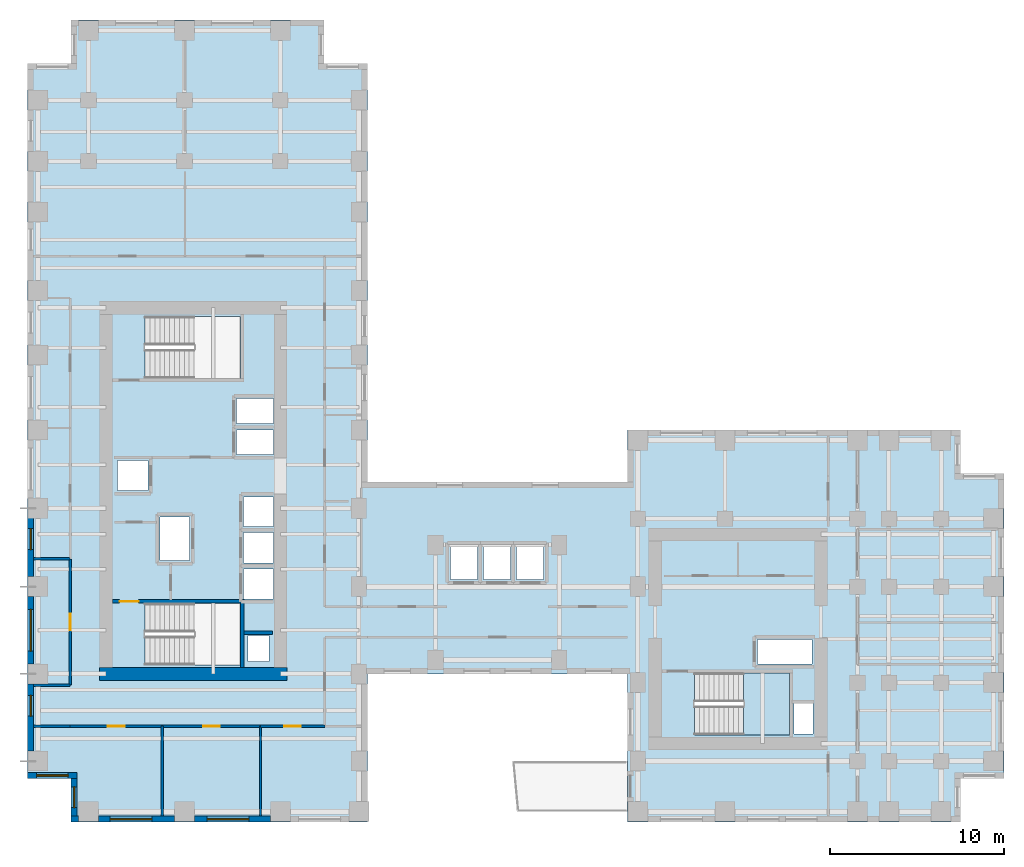
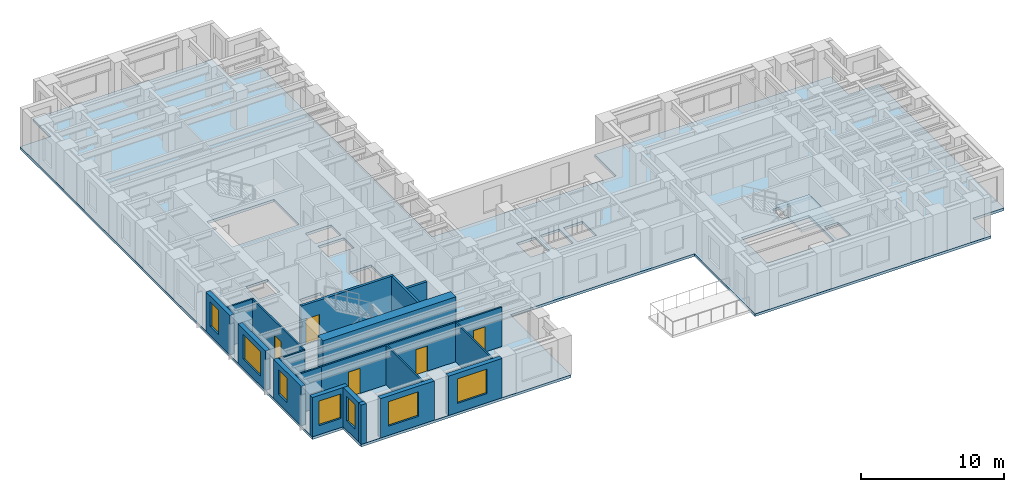
# One storey, part 3 of 12: 21 walls, 7 windows, 5 doors, 2 slabs, 12 openings, 1 element without a shape of its own.
"""IFC4 building model written with IfcOpenShell, lengths in metres."""

from ifc_helpers import new_model, si_unit, direction, frame, frame_2d, origin, place, context, subcontext, project, spatial, polyline, rectangle, outline, extrude, source, transform, mapped, material, layer, layer_set, type_object, element, fill, aggregate, save


model = new_model("IFC4")

# Units and contexts
model_context = context("Model", 3, precision=1e-05, world=origin(), true_north=direction((0.0, 1.0)))
body_context = subcontext(model_context, "Body", "Model", "MODEL_VIEW")
ifc_project = project(units=[si_unit("LENGTHUNIT", "METRE"), si_unit("AREAUNIT", "SQUARE_METRE"), si_unit("VOLUMEUNIT", "CUBIC_METRE"), si_unit("PLANEANGLEUNIT", "RADIAN"), si_unit("MASSUNIT", "GRAM", prefix="KILO")], contexts=[model_context])

# Site, building, storey
site_placement = place(None, origin())
site = spatial("IfcSite", under=ifc_project, at=site_placement, CompositionType="ELEMENT")
building_placement = place(site_placement, origin())
building = spatial("IfcBuilding", under=site, at=building_placement, Name="Kharzan Plaza Tower", CompositionType="ELEMENT")
storey_placement = place(building_placement, frame((0.0, 0.0, 106.199951171875)))
storey = spatial("IfcBuildingStorey", under=building, at=storey_placement, Name="L28", CompositionType="ELEMENT", Elevation=106.199951171875)

# Slab
ifc_material_1 = material(Name="Concrete C40/50", Category="concrete")
ifc_layer_1 = layer(ifc_material_1, 0.219970703125)
ifc_layer_set_1 = layer_set([ifc_layer_1], Name="Concrete C40/50")
slab_type_1 = type_object("IfcSlabType", Name="SL-FLOOR-220", PredefinedType="FLOOR", material=ifc_layer_set_1)
slab_1_placement = place(storey_placement, frame((0.0, 0.0, -0.219970703125)))
element("IfcSlab", 1, at=slab_1_placement, inside=storey, type_object=slab_type_1, Name="L28 Composite Structural Floor Slab 220 mm", PredefinedType="FLOOR", context=body_context, shape_type="SweptSolid", body=[
    extrude(outline(polyline([(34.39990234375, 19.5), (19.5, 19.5), (19.5, 43.5), (17.0, 43.5), (17.0, 46.0), (2.5, 46.0), (2.5, 43.5), (0.0, 43.5), (0.0, 2.5), (2.5, 2.5), (2.5, 0.0), (19.5, 0.0), (19.5, 8.5), (34.39990234375, 8.5), (34.39990234375, 0.0), (53.5, 0.0), (53.5, 2.5), (56.0, 2.5), (56.0, 20.0), (53.5, 20.0), (53.5, 22.5), (34.39990234375, 22.5), (34.39990234375, 19.5)]), holes=[polyline([(12.199951171875, 9.0), (12.199951171875, 12.550048828125), (6.75, 12.550048828125), (6.75, 9.0), (12.199951171875, 9.0)]), polyline([(14.10009765625, 12.800048828125), (14.10009765625, 14.530029296875), (12.39990234375, 14.530029296875), (12.39990234375, 12.800048828125), (14.10009765625, 12.800048828125)]), polyline([(14.10009765625, 14.8701171875), (14.10009765625, 16.60009765625), (12.39990234375, 16.60009765625), (12.39990234375, 14.8701171875), (14.10009765625, 14.8701171875)]), polyline([(9.300048828125, 15.0), (9.300048828125, 17.5), (7.60009765625, 17.5), (7.60009765625, 15.0), (9.300048828125, 15.0)]), polyline([(6.89990234375, 19.010009765625), (6.89990234375, 20.72998046875), (5.14990234375, 20.72998046875), (5.14990234375, 19.010009765625), (6.89990234375, 19.010009765625)]), polyline([(14.10009765625, 21.070068359375), (14.10009765625, 22.489990234375), (12.0, 22.489990234375), (12.0, 21.070068359375), (14.10009765625, 21.070068359375)]), polyline([(14.10009765625, 22.8701171875), (14.10009765625, 24.2900390625), (12.0, 24.2900390625), (12.0, 22.8701171875), (14.10009765625, 22.8701171875)]), polyline([(12.199951171875, 25.449951171875), (12.199951171875, 29.0), (6.75, 29.0), (6.75, 25.449951171875), (12.199951171875, 25.449951171875)]), polyline([(45.050048828125, 5.050048828125), (45.050048828125, 6.800048828125), (43.949951171875, 6.800048828125), (43.949951171875, 5.050048828125), (45.050048828125, 5.050048828125)]), polyline([(43.699951171875, 5.0), (43.699951171875, 8.550048828125), (38.25, 8.550048828125), (38.25, 5.0), (43.699951171875, 5.0)]), polyline([(45.0, 9.070068359375), (45.0, 10.469970703125), (41.85009765625, 10.469970703125), (41.85009765625, 9.070068359375), (45.0, 9.070068359375)]), polyline([(13.85009765625, 9.199951171875), (13.85009765625, 10.699951171875), (12.64990234375, 10.699951171875), (12.64990234375, 9.199951171875), (13.85009765625, 9.199951171875)]), polyline([(25.800048828125, 13.89990234375), (25.800048828125, 15.85009765625), (24.25, 15.85009765625), (24.25, 13.89990234375), (25.800048828125, 13.89990234375)]), polyline([(27.699951171875, 13.89990234375), (27.699951171875, 15.85009765625), (26.14990234375, 15.85009765625), (26.14990234375, 13.89990234375), (27.699951171875, 13.89990234375)]), polyline([(29.60009765625, 13.89990234375), (29.60009765625, 15.85009765625), (28.050048828125, 15.85009765625), (28.050048828125, 13.89990234375), (29.60009765625, 13.89990234375)]), polyline([(14.10009765625, 16.93994140625), (14.10009765625, 18.64990234375), (12.39990234375, 18.64990234375), (12.39990234375, 16.93994140625), (14.10009765625, 16.93994140625)])]), origin(), (0.0, 0.0, 1.0), 0.219970703125),
])

# Stair, slab
stair_type = type_object("IfcStairType", Name="STR-ST-3", PredefinedType="HALF_TURN_STAIR", material=ifc_material_1)
stair_placement = place(storey_placement, origin())
stair = element("IfcStair", 2, at=stair_placement, inside=storey, type_object=stair_type, Name="L28 Protected Exit Stair ST-3", PredefinedType="HALF_TURN_STAIR")
ifc_layer_2 = layer(ifc_material_1, 0.219970703125)
ifc_layer_set_2 = layer_set([ifc_layer_2], Name="Concrete C40/50")
slab_type_2 = type_object("IfcSlabType", Name="SL-LANDING-220", PredefinedType="LANDING", material=ifc_layer_set_2)
slab_2_placement = place(storey_placement, frame((0.0, 0.0, 1.60009765625)))
slab_2 = element("IfcSlab", 3, at=slab_2_placement, type_object=slab_type_2, Name="ST-3 landing 1", PredefinedType="LANDING", context=body_context, shape_type="SweptSolid", body=[
    extrude(outline(polyline([(41.050048828125, 5.0), (43.699951171875, 5.0), (43.699951171875, 8.550048828125), (41.050048828125, 8.550048828125), (41.050048828125, 5.0)])), origin(), (0.0, 0.0, 1.0), 0.199951171875),
])
aggregate(stair, [slab_2])

# Wall, opening, window
ifc_layer_3 = layer(ifc_material_1, 0.35009765625)
ifc_layer_set_3 = layer_set([ifc_layer_3], Name="Concrete C40/50")
wall_type_1 = type_object("IfcWallType", Name="WL-EXT-MAS-Z2", PredefinedType="SOLIDWALL", material=ifc_layer_set_3)
wall_1_placement = place(storey_placement, frame((0.175048828125, 17.427001953125, 0.0), z_axis=(0.0, 0.0, 1.0), x_axis=(0.0, -1.0, 0.0)))
wall_1 = element("IfcWall", 4, at=wall_1_placement, inside=storey, type_object=wall_type_1, Name="L28 Masonry-Frame Exterior Wall 23", PredefinedType="SOLIDWALL", context=body_context, shape_type="SweptSolid", body=[
    extrude(rectangle(XDim=3.35400390625, YDim=0.35009765625, at=frame_2d((1.677001953125, 0.0))), origin(), (0.0, 0.0, 1.0), 3.364990234375),
])
opening_1_placement = place(wall_1_placement, frame((0.598388671875, 0.0, 0.780029296875)))
opening_1 = element("IfcOpeningElement", 5, at=opening_1_placement, cuts=wall_1, Name="Opening W3", PredefinedType="OPENING", context=body_context, shape_type="SweptSolid", body=[
    extrude(rectangle(XDim=1.199951171875, YDim=2.10009765625, at=frame_2d((0.60009765625, 1.050048828125))), frame((0.0, 0.18505859375, 0.0), z_axis=(0.0, -1.0, 0.0), x_axis=(1.0, 0.0, 0.0)), (0.0, 0.0, 1.0), 0.3701171875),
])
ifc_material_2 = material(Name="Low-E Double Glazing", Category="glass")
window_type_1 = type_object("IfcWindowType", Name="WN-REC-1200x2100", PartitioningType="SINGLE_PANEL", PredefinedType="WINDOW", material=ifc_material_2)
shared_shape_1 = source(origin(), body_context, "Body", "SweptSolid", [
    extrude(rectangle(XDim=1.199951171875, YDim=2.10009765625, at=frame_2d((0.60009765625, 1.050048828125))), frame((0.0, 0.030029296875, 0.0), z_axis=(0.0, -1.0, 0.0), x_axis=(1.0, 0.0, 0.0)), (0.0, 0.0, 1.0), 0.06005859375),
])
window_1_placement = place(opening_1_placement, origin())
window_1 = element("IfcWindow", 6, at=window_1_placement, inside=storey, type_object=window_type_1, Name="L28 Recessed Solar-Control Window 23-1", OverallHeight=2.10009765625, OverallWidth=1.199951171875, PartitioningType="SINGLE_PANEL", PredefinedType="WINDOW", context=body_context, shape_type="MappedRepresentation", body=[
    mapped(shared_shape_1, transform((0.0, 0.0, 0.0), x_axis=(1.0, 0.0, 0.0), y_axis=(0.0, 1.0, 0.0), z_axis=(0.0, 0.0, 1.0))),
])
fill(opening_1, window_1)

wall_2_placement = place(storey_placement, frame((0.175048828125, 12.927001953125, 0.0), z_axis=(0.0, 0.0, 1.0), x_axis=(0.0, -1.0, 0.0)))
wall_2 = element("IfcWall", 7, at=wall_2_placement, inside=storey, type_object=wall_type_1, Name="L28 Masonry-Frame Exterior Wall 24", PredefinedType="SOLIDWALL", context=body_context, shape_type="SweptSolid", body=[
    extrude(rectangle(XDim=3.85400390625, YDim=0.35009765625, at=frame_2d((1.927001953125, 0.0))), origin(), (0.0, 0.0, 1.0), 3.364990234375),
])
opening_2_placement = place(wall_2_placement, frame((0.72705078125, 0.0, 0.780029296875)))
opening_2 = element("IfcOpeningElement", 8, at=opening_2_placement, cuts=wall_2, Name="Opening W2", PredefinedType="OPENING", context=body_context, shape_type="SweptSolid", body=[
    extrude(rectangle(XDim=2.39990234375, YDim=2.10009765625, at=frame_2d((1.199951171875, 1.050048828125))), frame((0.0, 0.18505859375, 0.0), z_axis=(0.0, -1.0, 0.0), x_axis=(1.0, 0.0, 0.0)), (0.0, 0.0, 1.0), 0.3701171875),
])
window_type_2 = type_object("IfcWindowType", Name="WN-REC-2400x2100", PartitioningType="SINGLE_PANEL", PredefinedType="WINDOW", material=ifc_material_2)
shared_shape_2 = source(origin(), body_context, "Body", "SweptSolid", [
    extrude(rectangle(XDim=2.39990234375, YDim=2.10009765625, at=frame_2d((1.199951171875, 1.050048828125))), frame((0.0, 0.030029296875, 0.0), z_axis=(0.0, -1.0, 0.0), x_axis=(1.0, 0.0, 0.0)), (0.0, 0.0, 1.0), 0.06005859375),
])
window_2_placement = place(opening_2_placement, origin())
window_2 = element("IfcWindow", 9, at=window_2_placement, inside=storey, type_object=window_type_2, Name="L28 Wide Recessed Solar-Control Window 24-1", OverallHeight=2.10009765625, OverallWidth=2.39990234375, PartitioningType="SINGLE_PANEL", PredefinedType="WINDOW", context=body_context, shape_type="MappedRepresentation", body=[
    mapped(shared_shape_2, transform((0.0, 0.0, 0.0), x_axis=(1.0, 0.0, 0.0), y_axis=(0.0, 1.0, 0.0), z_axis=(0.0, 0.0, 1.0))),
])
fill(opening_2, window_2)

wall_3_placement = place(storey_placement, frame((0.175048828125, 7.927001953125, 0.0), z_axis=(0.0, 0.0, 1.0), x_axis=(0.0, -1.0, 0.0)))
wall_3 = element("IfcWall", 10, at=wall_3_placement, inside=storey, type_object=wall_type_1, Name="L28 Masonry-Frame Exterior Wall 25", PredefinedType="SOLIDWALL", context=body_context, shape_type="SweptSolid", body=[
    extrude(rectangle(XDim=3.85400390625, YDim=0.35009765625, at=frame_2d((1.927001953125, 0.0))), origin(), (0.0, 0.0, 1.0), 3.364990234375),
])
opening_3_placement = place(wall_3_placement, frame((0.652099609375, 0.0, 0.780029296875)))
opening_3 = element("IfcOpeningElement", 11, at=opening_3_placement, cuts=wall_3, Name="Opening W3", PredefinedType="OPENING", context=body_context, shape_type="SweptSolid", body=[
    extrude(rectangle(XDim=1.199951171875, YDim=2.10009765625, at=frame_2d((0.60009765625, 1.050048828125))), frame((0.0, 0.18505859375, 0.0), z_axis=(0.0, -1.0, 0.0), x_axis=(1.0, 0.0, 0.0)), (0.0, 0.0, 1.0), 0.3701171875),
])
window_3_placement = place(opening_3_placement, origin())
window_3 = element("IfcWindow", 12, at=window_3_placement, inside=storey, type_object=window_type_1, Name="L28 Recessed Solar-Control Window 25-1", OverallHeight=2.10009765625, OverallWidth=1.199951171875, PartitioningType="SINGLE_PANEL", PredefinedType="WINDOW", context=body_context, shape_type="MappedRepresentation", body=[
    mapped(shared_shape_1, transform((0.0, 0.0, 0.0), x_axis=(1.0, 0.0, 0.0), y_axis=(0.0, 1.0, 0.0), z_axis=(0.0, 0.0, 1.0))),
])
fill(opening_3, window_3)

wall_4_placement = place(storey_placement, frame((0.0, 2.675048828125, 0.0), z_axis=(0.0, 0.0, 1.0), x_axis=(1.0, 0.0, 0.0)))
wall_4 = element("IfcWall", 13, at=wall_4_placement, inside=storey, type_object=wall_type_1, Name="L28 Masonry-Frame Exterior Wall 26", PredefinedType="SOLIDWALL", context=body_context, shape_type="SweptSolid", body=[
    extrude(rectangle(XDim=2.85009765625, YDim=0.35009765625, at=frame_2d((1.425048828125, 0.0))), origin(), (0.0, 0.0, 1.0), 3.364990234375),
])
opening_4_placement = place(wall_4_placement, frame((0.52490234375, 0.0, 0.780029296875)))
opening_4 = element("IfcOpeningElement", 14, at=opening_4_placement, cuts=wall_4, Name="Opening W1", PredefinedType="OPENING", context=body_context, shape_type="SweptSolid", body=[
    extrude(rectangle(XDim=1.800048828125, YDim=2.10009765625, at=frame_2d((0.89990234375, 1.050048828125))), frame((0.0, 0.18505859375, 0.0), z_axis=(0.0, -1.0, 0.0), x_axis=(1.0, 0.0, 0.0)), (0.0, 0.0, 1.0), 0.3701171875),
])
window_type_3 = type_object("IfcWindowType", Name="WN-REC-1800x2100", PartitioningType="SINGLE_PANEL", PredefinedType="WINDOW", material=ifc_material_2)
shared_shape_3 = source(origin(), body_context, "Body", "SweptSolid", [
    extrude(rectangle(XDim=1.800048828125, YDim=2.10009765625, at=frame_2d((0.89990234375, 1.050048828125))), frame((0.0, 0.030029296875, 0.0), z_axis=(0.0, -1.0, 0.0), x_axis=(1.0, 0.0, 0.0)), (0.0, 0.0, 1.0), 0.06005859375),
])
window_4_placement = place(opening_4_placement, origin())
window_4 = element("IfcWindow", 15, at=window_4_placement, inside=storey, type_object=window_type_3, Name="L28 Recessed Solar-Control Window 26-1", OverallHeight=2.10009765625, OverallWidth=1.800048828125, PartitioningType="SINGLE_PANEL", PredefinedType="WINDOW", context=body_context, shape_type="MappedRepresentation", body=[
    mapped(shared_shape_3, transform((0.0, 0.0, 0.0), x_axis=(1.0, 0.0, 0.0), y_axis=(0.0, 1.0, 0.0), z_axis=(0.0, 0.0, 1.0))),
])
fill(opening_4, window_4)

wall_5_placement = place(storey_placement, frame((2.675048828125, 2.501953125, 0.0), z_axis=(0.0, 0.0, 1.0), x_axis=(0.0, -1.0, 0.0)))
wall_5 = element("IfcWall", 16, at=wall_5_placement, inside=storey, type_object=wall_type_1, Name="L28 Masonry-Frame Exterior Wall 27", PredefinedType="SOLIDWALL", context=body_context, shape_type="SweptSolid", body=[
    extrude(rectangle(XDim=2.154052734375, YDim=0.35009765625, at=frame_2d((1.0771484375, 0.0))), origin(), (0.0, 0.0, 1.0), 3.364990234375),
])
opening_5_placement = place(wall_5_placement, frame((0.47705078125, 0.0, 0.780029296875)))
opening_5 = element("IfcOpeningElement", 17, at=opening_5_placement, cuts=wall_5, Name="Opening W3", PredefinedType="OPENING", context=body_context, shape_type="SweptSolid", body=[
    extrude(rectangle(XDim=1.199951171875, YDim=2.10009765625, at=frame_2d((0.60009765625, 1.050048828125))), frame((0.0, 0.18505859375, 0.0), z_axis=(0.0, -1.0, 0.0), x_axis=(1.0, 0.0, 0.0)), (0.0, 0.0, 1.0), 0.3701171875),
])
window_5_placement = place(opening_5_placement, origin())
window_5 = element("IfcWindow", 18, at=window_5_placement, inside=storey, type_object=window_type_1, Name="L28 Recessed Solar-Control Window 27-1", OverallHeight=2.10009765625, OverallWidth=1.199951171875, PartitioningType="SINGLE_PANEL", PredefinedType="WINDOW", context=body_context, shape_type="MappedRepresentation", body=[
    mapped(shared_shape_1, transform((0.0, 0.0, 0.0), x_axis=(1.0, 0.0, 0.0), y_axis=(0.0, 1.0, 0.0), z_axis=(0.0, 0.0, 1.0))),
])
fill(opening_5, window_5)

wall_6_placement = place(storey_placement, frame((4.072998046875, 0.175048828125, 0.0), z_axis=(0.0, 0.0, 1.0), x_axis=(1.0, 0.0, 0.0)))
wall_6 = element("IfcWall", 19, at=wall_6_placement, inside=storey, type_object=wall_type_1, Name="L28 Masonry-Frame Exterior Wall 29", PredefinedType="SOLIDWALL", context=body_context, shape_type="SweptSolid", body=[
    extrude(rectangle(XDim=4.35400390625, YDim=0.35009765625, at=frame_2d((2.177001953125, 0.0))), origin(), (0.0, 0.0, 1.0), 3.364990234375),
])
opening_6_placement = place(wall_6_placement, frame((0.66357421875, 0.0, 0.780029296875)))
opening_6 = element("IfcOpeningElement", 20, at=opening_6_placement, cuts=wall_6, Name="Opening W2", PredefinedType="OPENING", context=body_context, shape_type="SweptSolid", body=[
    extrude(rectangle(XDim=2.39990234375, YDim=2.10009765625, at=frame_2d((1.199951171875, 1.050048828125))), frame((0.0, 0.18505859375, 0.0), z_axis=(0.0, -1.0, 0.0), x_axis=(1.0, 0.0, 0.0)), (0.0, 0.0, 1.0), 0.3701171875),
])
window_6_placement = place(opening_6_placement, origin())
window_6 = element("IfcWindow", 21, at=window_6_placement, inside=storey, type_object=window_type_2, Name="L28 Wide Recessed Solar-Control Window 29-1", OverallHeight=2.10009765625, OverallWidth=2.39990234375, PartitioningType="SINGLE_PANEL", PredefinedType="WINDOW", context=body_context, shape_type="MappedRepresentation", body=[
    mapped(shared_shape_2, transform((0.0, 0.0, 0.0), x_axis=(1.0, 0.0, 0.0), y_axis=(0.0, 1.0, 0.0), z_axis=(0.0, 0.0, 1.0))),
])
fill(opening_6, window_6)

wall_7_placement = place(storey_placement, frame((9.572998046875, 0.175048828125, 0.0), z_axis=(0.0, 0.0, 1.0), x_axis=(1.0, 0.0, 0.0)))
wall_7 = element("IfcWall", 22, at=wall_7_placement, inside=storey, type_object=wall_type_1, Name="L28 Masonry-Frame Exterior Wall 30", PredefinedType="SOLIDWALL", context=body_context, shape_type="SweptSolid", body=[
    extrude(rectangle(XDim=4.35400390625, YDim=0.35009765625, at=frame_2d((2.177001953125, 0.0))), origin(), (0.0, 0.0, 1.0), 3.364990234375),
])
opening_7_placement = place(wall_7_placement, frame((0.72705078125, 0.0, 0.780029296875)))
opening_7 = element("IfcOpeningElement", 23, at=opening_7_placement, cuts=wall_7, Name="Opening W2", PredefinedType="OPENING", context=body_context, shape_type="SweptSolid", body=[
    extrude(rectangle(XDim=2.39990234375, YDim=2.10009765625, at=frame_2d((1.199951171875, 1.050048828125))), frame((0.0, 0.18505859375, 0.0), z_axis=(0.0, -1.0, 0.0), x_axis=(1.0, 0.0, 0.0)), (0.0, 0.0, 1.0), 0.3701171875),
])
window_7_placement = place(opening_7_placement, origin())
window_7 = element("IfcWindow", 24, at=window_7_placement, inside=storey, type_object=window_type_2, Name="L28 Wide Recessed Solar-Control Window 30-1", OverallHeight=2.10009765625, OverallWidth=2.39990234375, PartitioningType="SINGLE_PANEL", PredefinedType="WINDOW", context=body_context, shape_type="MappedRepresentation", body=[
    mapped(shared_shape_2, transform((0.0, 0.0, 0.0), x_axis=(1.0, 0.0, 0.0), y_axis=(0.0, 1.0, 0.0), z_axis=(0.0, 0.0, 1.0))),
])
fill(opening_7, window_7)

# Wall, opening, door
ifc_material_3 = material(Name="Fire-Rated Gypsum Board Partition", Category="gypsum")
ifc_layer_4 = layer(ifc_material_3, 0.125)
ifc_layer_set_4 = layer_set([ifc_layer_4], Name="Fire-Rated Gypsum Board Partition")
wall_type_2 = type_object("IfcWallType", Name="WL-INT-PART-125", PredefinedType="PARTITIONING", material=ifc_layer_set_4)
wall_8_placement = place(storey_placement, frame((2.449951171875, 5.5, 0.0), z_axis=(0.0, 0.0, 1.0), x_axis=(1.0, 0.0, 0.0)))
wall_8 = element("IfcWall", 25, at=wall_8_placement, inside=storey, type_object=wall_type_2, Name="L28 Interior Partition SH-SS-1", PredefinedType="PARTITIONING", context=body_context, shape_type="SweptSolid", body=[
    extrude(rectangle(XDim=5.280029296875, YDim=0.125, at=frame_2d((2.64013671875, 0.0))), origin(), (0.0, 0.0, 1.0), 3.364990234375),
])
opening_8_placement = place(wall_8_placement, frame((2.1650390625, 0.0, 0.0)))
opening_8 = element("IfcOpeningElement", 26, at=opening_8_placement, cuts=wall_8, Name="Opening OD1", PredefinedType="OPENING", context=body_context, shape_type="SweptSolid", body=[
    extrude(rectangle(XDim=0.949951171875, YDim=2.14990234375, at=frame_2d((0.47509765625, 1.074951171875))), frame((0.0, 0.072509765625, 0.0), z_axis=(0.0, -1.0, 0.0), x_axis=(1.0, 0.0, 0.0)), (0.0, 0.0, 1.0), 0.14501953125),
])
ifc_material_4 = material(Name="Acoustic Solid-Core Stained Oak", Category="timber")
door_type_1 = type_object("IfcDoorType", Name="DR-OFF-SINGLE", OperationType="NOTDEFINED", PredefinedType="DOOR", material=ifc_material_4)
shared_shape_4 = source(origin(), body_context, "Body", "SweptSolid", [
    extrude(rectangle(XDim=0.949951171875, YDim=2.14990234375, at=frame_2d((0.47509765625, 1.074951171875))), frame((0.0, 0.02490234375, 0.0), z_axis=(0.0, -1.0, 0.0), x_axis=(1.0, 0.0, 0.0)), (0.0, 0.0, 1.0), 0.050048828125),
])
door_1_placement = place(opening_8_placement, origin())
door_1 = element("IfcDoor", 27, at=door_1_placement, inside=storey, type_object=door_type_1, Name="L28 Executive Boardroom Door", OperationType="SINGLE_SWING_RIGHT", OverallHeight=2.14990234375, OverallWidth=0.949951171875, PredefinedType="DOOR", context=body_context, shape_type="MappedRepresentation", body=[
    mapped(shared_shape_4, transform((0.0, 0.0, 0.0), x_axis=(1.0, 0.0, 0.0), y_axis=(0.0, 1.0, 0.0), z_axis=(0.0, 0.0, 1.0))),
])
fill(opening_8, door_1)

wall_9_placement = place(storey_placement, frame((7.72998046875, 5.5, 0.0), z_axis=(0.0, 0.0, 1.0), x_axis=(1.0, 0.0, 0.0)))
wall_9 = element("IfcWall", 28, at=wall_9_placement, inside=storey, type_object=wall_type_2, Name="L28 Interior Partition SH-SS-2", PredefinedType="PARTITIONING", context=body_context, shape_type="SweptSolid", body=[
    extrude(rectangle(XDim=5.626953125, YDim=0.125, at=frame_2d((2.8134765625, 0.0))), origin(), (0.0, 0.0, 1.0), 3.364990234375),
])
opening_9_placement = place(wall_9_placement, frame((2.33837890625, 0.0, 0.0)))
opening_9 = element("IfcOpeningElement", 29, at=opening_9_placement, cuts=wall_9, Name="Opening OD1", PredefinedType="OPENING", context=body_context, shape_type="SweptSolid", body=[
    extrude(rectangle(XDim=0.949951171875, YDim=2.14990234375, at=frame_2d((0.47509765625, 1.074951171875))), frame((0.0, 0.072509765625, 0.0), z_axis=(0.0, -1.0, 0.0), x_axis=(1.0, 0.0, 0.0)), (0.0, 0.0, 1.0), 0.14501953125),
])
door_2_placement = place(opening_9_placement, origin())
door_2 = element("IfcDoor", 30, at=door_2_placement, inside=storey, type_object=door_type_1, Name="L28 Staff Tea Pantry Door", OperationType="SINGLE_SWING_LEFT", OverallHeight=2.14990234375, OverallWidth=0.949951171875, PredefinedType="DOOR", context=body_context, shape_type="MappedRepresentation", body=[
    mapped(shared_shape_4, transform((0.0, 0.0, 0.0), x_axis=(1.0, 0.0, 0.0), y_axis=(0.0, 1.0, 0.0), z_axis=(0.0, 0.0, 1.0))),
])
fill(opening_9, door_2)

wall_10_placement = place(storey_placement, frame((13.35693359375, 5.5, 0.0), z_axis=(0.0, 0.0, 1.0), x_axis=(1.0, 0.0, 0.0)))
wall_10 = element("IfcWall", 31, at=wall_10_placement, inside=storey, type_object=wall_type_2, Name="L28 Interior Partition SH-SS-3", PredefinedType="PARTITIONING", context=body_context, shape_type="SweptSolid", body=[
    extrude(rectangle(XDim=3.693115234375, YDim=0.125, at=frame_2d((1.8466796875, 0.0))), origin(), (0.0, 0.0, 1.0), 3.364990234375),
])
opening_10_placement = place(wall_10_placement, frame((1.37158203125, 0.0, 0.0)))
opening_10 = element("IfcOpeningElement", 32, at=opening_10_placement, cuts=wall_10, Name="Opening OD1", PredefinedType="OPENING", context=body_context, shape_type="SweptSolid", body=[
    extrude(rectangle(XDim=0.949951171875, YDim=2.14990234375, at=frame_2d((0.47509765625, 1.074951171875))), frame((0.0, 0.072509765625, 0.0), z_axis=(0.0, -1.0, 0.0), x_axis=(1.0, 0.0, 0.0)), (0.0, 0.0, 1.0), 0.14501953125),
])
door_3_placement = place(opening_10_placement, origin())
door_3 = element("IfcDoor", 33, at=door_3_placement, inside=storey, type_object=door_type_1, Name="L28 Design Collaboration Office Door", OperationType="SINGLE_SWING_RIGHT", OverallHeight=2.14990234375, OverallWidth=0.949951171875, PredefinedType="DOOR", context=body_context, shape_type="MappedRepresentation", body=[
    mapped(shared_shape_4, transform((0.0, 0.0, 0.0), x_axis=(1.0, 0.0, 0.0), y_axis=(0.0, 1.0, 0.0), z_axis=(0.0, 0.0, 1.0))),
])
fill(opening_10, door_3)

wall_11_placement = place(storey_placement, frame((2.449951171875, 7.85009765625, 0.0), z_axis=(0.0, 0.0, 1.0), x_axis=(0.0, 1.0, 0.0)))
wall_11 = element("IfcWall", 34, at=wall_11_placement, inside=storey, type_object=wall_type_2, Name="L28 Interior Partition SH-WW-1", PredefinedType="PARTITIONING", context=body_context, shape_type="SweptSolid", body=[
    extrude(rectangle(XDim=7.25, YDim=0.125, at=frame_2d((3.625, 0.0))), origin(), (0.0, 0.0, 1.0), 3.364990234375),
])
opening_11_placement = place(wall_11_placement, frame((3.14990234375, 0.0, 0.0)))
opening_11 = element("IfcOpeningElement", 35, at=opening_11_placement, cuts=wall_11, Name="Opening OD1", PredefinedType="OPENING", context=body_context, shape_type="SweptSolid", body=[
    extrude(rectangle(XDim=0.949951171875, YDim=2.14990234375, at=frame_2d((0.47509765625, 1.074951171875))), frame((0.0, 0.072509765625, 0.0), z_axis=(0.0, -1.0, 0.0), x_axis=(1.0, 0.0, 0.0)), (0.0, 0.0, 1.0), 0.14501953125),
])
door_4_placement = place(opening_11_placement, origin())
door_4 = element("IfcDoor", 36, at=door_4_placement, inside=storey, type_object=door_type_1, Name="L28 Conference Room Door", OperationType="SINGLE_SWING_LEFT", OverallHeight=2.14990234375, OverallWidth=0.949951171875, PredefinedType="DOOR", context=body_context, shape_type="MappedRepresentation", body=[
    mapped(shared_shape_4, transform((0.0, 0.0, 0.0), x_axis=(1.0, 0.0, 0.0), y_axis=(0.0, 1.0, 0.0), z_axis=(0.0, 0.0, 1.0))),
])
fill(opening_11, door_4)

ifc_material_5 = material(Name="Concrete C50/60", Category="concrete")
ifc_layer_5 = layer(ifc_material_5, 0.199951171875)
ifc_layer_set_5 = layer_set([ifc_layer_5], Name="Concrete C50/60")
wall_type_3 = type_object("IfcWallType", Name="WL-SHAFT-RC200", PredefinedType="SHEAR", material=ifc_layer_set_5)
wall_12_placement = place(storey_placement, frame((4.876953125, 12.655029296875, 0.0), z_axis=(0.0, 0.0, 1.0), x_axis=(1.0, 0.0, 0.0)))
wall_12 = element("IfcWall", 37, at=wall_12_placement, inside=storey, type_object=wall_type_3, Name="L28 Stair ST-1 North RC Shaft Wall", PredefinedType="SHEAR", context=body_context, shape_type="SweptSolid", body=[
    extrude(rectangle(XDim=7.528076171875, YDim=0.199951171875, at=frame_2d((3.76416015625, 0.0))), origin(), (0.0, 0.0, 1.0), 3.380126953125),
])
opening_12_placement = place(wall_12_placement, frame((0.39990234375, 0.0, 0.0)))
opening_12 = element("IfcOpeningElement", 38, at=opening_12_placement, cuts=wall_12, Name="Opening SD1", PredefinedType="OPENING", context=body_context, shape_type="SweptSolid", body=[
    extrude(rectangle(XDim=1.10009765625, YDim=2.14990234375, at=frame_2d((0.550048828125, 1.074951171875))), frame((0.0, 0.10986328125, 0.0), z_axis=(0.0, -1.0, 0.0), x_axis=(1.0, 0.0, 0.0)), (0.0, 0.0, 1.0), 0.219970703125),
])
ifc_material_6 = material(Name="Fire-Rated Hollow Galvanized Steel", Category="steel")
door_type_2 = type_object("IfcDoorType", Name="DR-STAIR-FD120", OperationType="NOTDEFINED", PredefinedType="DOOR", material=ifc_material_6)
shared_shape_5 = source(origin(), body_context, "Body", "SweptSolid", [
    extrude(rectangle(XDim=1.10009765625, YDim=2.14990234375, at=frame_2d((0.550048828125, 1.074951171875))), frame((0.0, 0.02490234375, 0.0), z_axis=(0.0, -1.0, 0.0), x_axis=(1.0, 0.0, 0.0)), (0.0, 0.0, 1.0), 0.050048828125),
])
door_5_placement = place(opening_12_placement, origin())
door_5 = element("IfcDoor", 39, at=door_5_placement, inside=storey, type_object=door_type_2, Name="L28 Stair ST-1 Fire Exit Door", OperationType="SINGLE_SWING_LEFT", OverallHeight=2.14990234375, OverallWidth=1.10009765625, PredefinedType="DOOR", context=body_context, shape_type="MappedRepresentation", body=[
    mapped(shared_shape_5, transform((0.0, 0.0, 0.0), x_axis=(1.0, 0.0, 0.0), y_axis=(0.0, 1.0, 0.0), z_axis=(0.0, 0.0, 1.0))),
])
fill(opening_12, door_5)

# Walls
shared_shape_6 = source(origin(), body_context, "Body", "SweptSolid", [
    extrude(rectangle(XDim=2.097900390625, YDim=0.125, at=frame_2d((1.048828125, 0.0))), origin(), (0.0, 0.0, 1.0), 3.364990234375),
])
for number, where, z_axis, x_axis, name in (
    (40, (0.35205078125, 7.85009765625, 0.0), (0.0, 0.0, 1.0), (1.0, 0.0, 0.0), "L28 Interior Partition SH-RWS0"),
    (41, (0.35205078125, 5.5, 0.0), (0.0, 0.0, 1.0), (1.0, 0.0, 0.0), "L28 Interior Partition SH-SS-EXT"),
    (42, (0.35205078125, 15.10009765625, 0.0), (0.0, 0.0, 1.0), (1.0, 0.0, 0.0), "L28 Interior Partition SH-WH-1"),
):
    element("IfcWall", number, at=place(storey_placement, frame(where, z_axis=z_axis, x_axis=x_axis)), inside=storey, type_object=wall_type_2, Name=name, PredefinedType="PARTITIONING", context=body_context, shape_type="MappedRepresentation", body=[
        mapped(shared_shape_6, transform((0.0, 0.0, 0.0), x_axis=(1.0, 0.0, 0.0), y_axis=(0.0, 1.0, 0.0), z_axis=(0.0, 0.0, 1.0))),
    ])
ifc_material_7 = material(Name="Concrete C60/75", Category="concrete")
ifc_layer_6 = layer(ifc_material_7, 0.75)
ifc_layer_set_6 = layer_set([ifc_layer_6], Name="Concrete C60/75")
wall_type_4 = type_object("IfcWallType", Name="WL-CORE-750", PredefinedType="SHEAR", material=ifc_layer_set_6)
shared_shape_7 = source(origin(), body_context, "Body", "SweptSolid", [
    extrude(rectangle(XDim=10.75, YDim=0.75, at=frame_2d((5.375, 0.0))), origin(), (0.0, 0.0, 1.0), 3.380126953125),
])
wall_13_placement = place(storey_placement, frame((4.125, 8.5, 0.0), z_axis=(0.0, 0.0, 1.0), x_axis=(1.0, 0.0, 0.0)))
element("IfcWall", 43, at=wall_13_placement, inside=storey, type_object=wall_type_4, Name="L28 CORE-A south RC shear wall", PredefinedType="SHEAR", context=body_context, shape_type="MappedRepresentation", body=[
    mapped(shared_shape_7, transform((0.0, 0.0, 0.0), x_axis=(1.0, 0.0, 0.0), y_axis=(0.0, 1.0, 0.0), z_axis=(0.0, 0.0, 1.0))),
])
shared_shape_8 = source(origin(), body_context, "Body", "SweptSolid", [
    extrude(rectangle(XDim=0.427001953125, YDim=0.35009765625, at=frame_2d((0.21337890625, 0.0))), origin(), (0.0, 0.0, 1.0), 3.364990234375),
])
wall_14_placement = place(storey_placement, frame((2.5, 0.175048828125, 0.0), z_axis=(0.0, 0.0, 1.0), x_axis=(1.0, 0.0, 0.0)))
element("IfcWall", 44, at=wall_14_placement, inside=storey, type_object=wall_type_1, Name="L28 Masonry-Frame Exterior Wall 28", PredefinedType="SOLIDWALL", context=body_context, shape_type="MappedRepresentation", body=[
    mapped(shared_shape_8, transform((0.0, 0.0, 0.0), x_axis=(1.0, 0.0, 0.0), y_axis=(0.0, 1.0, 0.0), z_axis=(0.0, 0.0, 1.0))),
])
ifc_layer_7 = layer(ifc_material_1, 0.199951171875)
ifc_layer_set_7 = layer_set([ifc_layer_7], Name="Concrete C40/50")
wall_type_5 = type_object("IfcWallType", Name="WL-INT-SHAFT-200", PredefinedType="PARTITIONING", material=ifc_layer_set_7)
shared_shape_9 = source(origin(), body_context, "Body", "SweptSolid", [
    extrude(rectangle(XDim=1.630126953125, YDim=0.199951171875, at=frame_2d((0.81494140625, 0.0))), origin(), (0.0, 0.0, 1.0), 3.364990234375),
])
wall_15_placement = place(storey_placement, frame((12.419921875, 10.85009765625, 0.0), z_axis=(0.0, 0.0, 1.0), x_axis=(1.0, 0.0, 0.0)))
element("IfcWall", 45, at=wall_15_placement, inside=storey, type_object=wall_type_5, Name="L28 Interior Partition CA-RSRA-N", PredefinedType="PARTITIONING", context=body_context, shape_type="MappedRepresentation", body=[
    mapped(shared_shape_9, transform((0.0, 0.0, 0.0), x_axis=(1.0, 0.0, 0.0), y_axis=(0.0, 1.0, 0.0), z_axis=(0.0, 0.0, 1.0))),
])
shared_shape_10 = source(origin(), body_context, "Body", "SweptSolid", [
    extrude(rectangle(XDim=3.677978515625, YDim=0.199951171875, at=frame_2d((1.8388671875, 0.0))), origin(), (0.0, 0.0, 1.0), 3.380126953125),
])
wall_16_placement = place(storey_placement, frame((12.304931640625, 8.876953125, 0.0), z_axis=(0.0, 0.0, 1.0), x_axis=(0.0, 1.0, 0.0)))
element("IfcWall", 46, at=wall_16_placement, inside=storey, type_object=wall_type_3, Name="L28 Stair ST-1 East RC Shaft Wall", PredefinedType="SHEAR", context=body_context, shape_type="MappedRepresentation", body=[
    mapped(shared_shape_10, transform((0.0, 0.0, 0.0), x_axis=(1.0, 0.0, 0.0), y_axis=(0.0, 1.0, 0.0), z_axis=(0.0, 0.0, 1.0))),
])
shared_shape_11 = source(origin(), body_context, "Body", "SweptSolid", [
    extrude(rectangle(XDim=5.14794921875, YDim=0.125, at=frame_2d((2.573974609375, 0.0))), origin(), (0.0, 0.0, 1.0), 3.364990234375),
])
for number, where, z_axis, x_axis, name in (
    (47, (7.72998046875, 0.35205078125, 0.0), (0.0, 0.0, 1.0), (0.0, 1.0, 0.0), "L28 Interior Partition SH-SV-1"),
    (48, (13.35693359375, 0.35205078125, 0.0), (0.0, 0.0, 1.0), (0.0, 1.0, 0.0), "L28 Interior Partition SH-SV-2"),
):
    element("IfcWall", number, at=place(storey_placement, frame(where, z_axis=z_axis, x_axis=x_axis)), inside=storey, type_object=wall_type_2, Name=name, PredefinedType="PARTITIONING", context=body_context, shape_type="MappedRepresentation", body=[
        mapped(shared_shape_11, transform((0.0, 0.0, 0.0), x_axis=(1.0, 0.0, 0.0), y_axis=(0.0, 1.0, 0.0), z_axis=(0.0, 0.0, 1.0))),
    ])

save(model, "model.ifc")
